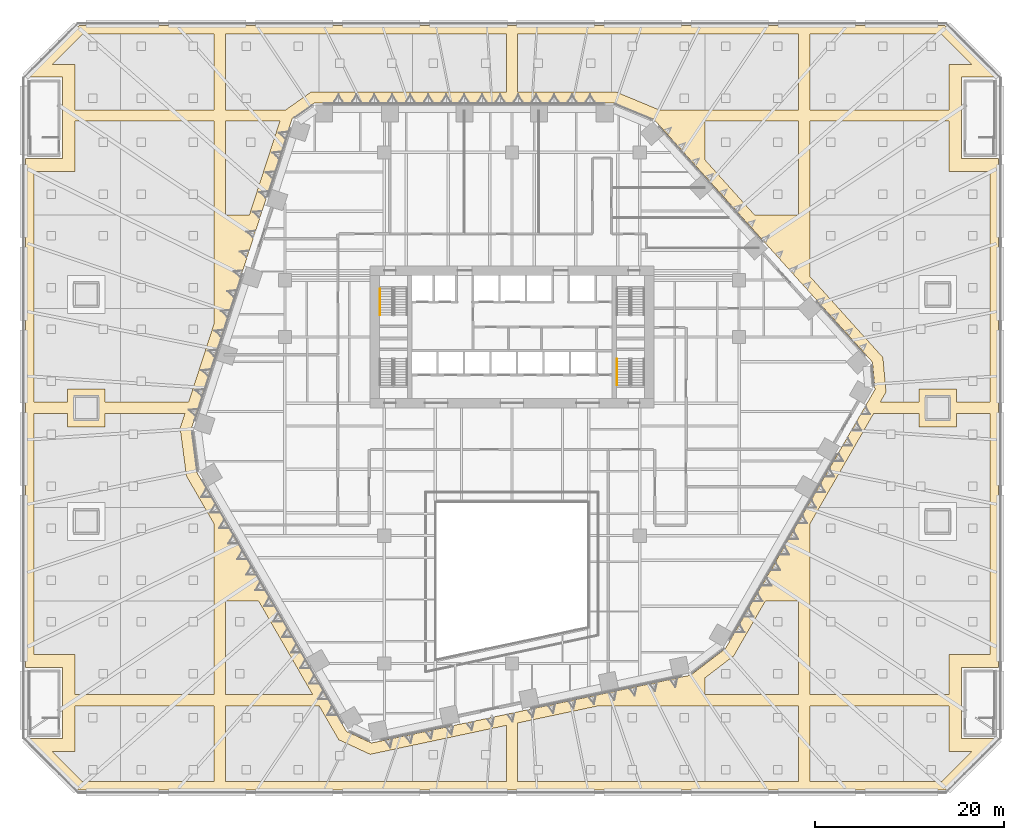
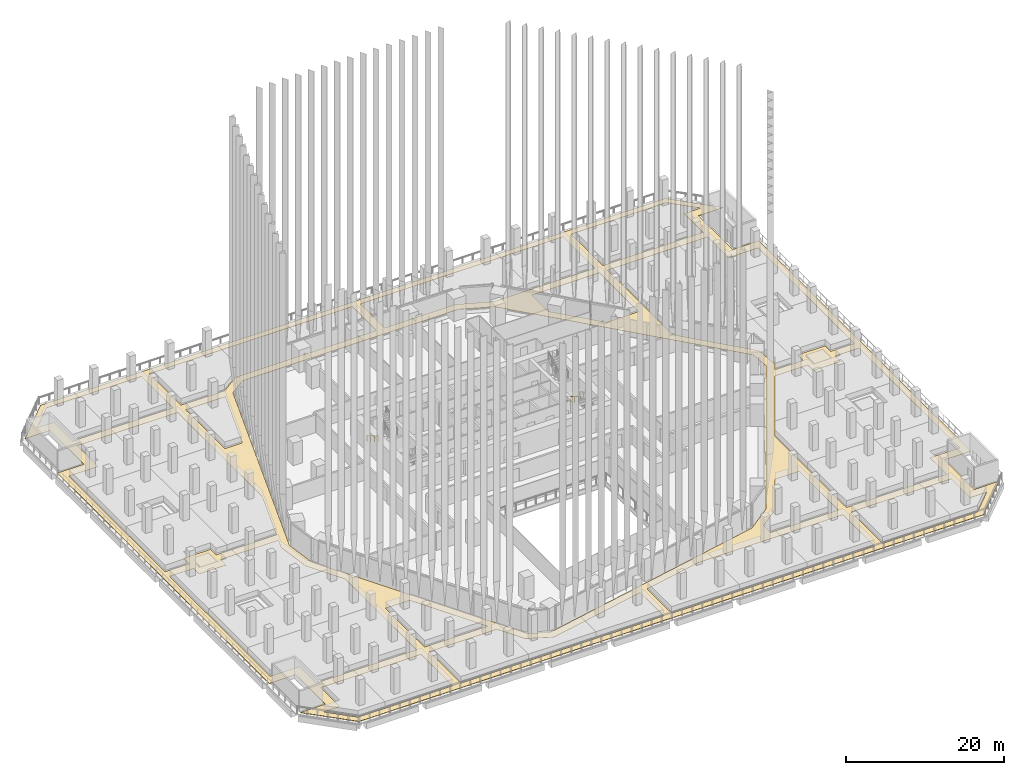
# One storey, part 36 of 51: 2 railings, 1 covering.
"""IFC4 building model written with IfcOpenShell, lengths in metres."""

from ifc_helpers import new_model, si_unit, direction, frame, origin, origin_2d, place, context, subcontext, project, spatial, polyline, circle, outline, extrude, material, layer, layer_set, type_object, element, save


model = new_model("IFC4")

# Units and contexts
model_context = context("Model", 3, precision=1e-05, world=origin(), true_north=direction((0.0, 1.0)))
body_context = subcontext(model_context, "Body", "Model", "MODEL_VIEW")
ifc_project = project(units=[si_unit("LENGTHUNIT", "METRE"), si_unit("AREAUNIT", "SQUARE_METRE"), si_unit("VOLUMEUNIT", "CUBIC_METRE"), si_unit("PLANEANGLEUNIT", "RADIAN"), si_unit("MASSUNIT", "GRAM", prefix="KILO")], contexts=[model_context])

# Site, building, storey
site_placement = place(None, origin())
site = spatial("IfcSite", under=ifc_project, at=site_placement, CompositionType="ELEMENT")
building_placement = place(site_placement, origin())
building = spatial("IfcBuilding", under=site, at=building_placement, Name="Isthmus Gate Tower", CompositionType="ELEMENT")
storey_placement = place(building_placement, frame((0.0, 0.0, 36.0)))
storey = spatial("IfcBuildingStorey", under=building, at=storey_placement, Name="L06", CompositionType="ELEMENT", Elevation=36.0)

# Railings
ifc_material_1 = material(Name="Stainless steel handrail", Category="steel")
railing_type = type_object("IfcRailingType", Name="STAIR HANDRAIL 900", PredefinedType="HANDRAIL", material=ifc_material_1)
for number, where, name in (
    (1, (-13.949951171875, 12.60009765625, 0.166015625), "L06 ST1 stair handrail 1"),
    (2, (11.10009765625, 5.199951171875, 1.990966796875), "L06 ST8 stair handrail 2"),
):
    element("IfcRailing", number, at=place(storey_placement, frame(where)), inside=storey, type_object=railing_type, Name=name, PredefinedType="HANDRAIL", context=body_context, shape_type="SweptSolid", body=[
        extrude(circle(Radius=0.02392578125, at=origin_2d()), frame((0.0, 0.0, 0.8759765625), z_axis=(0.0, -0.860339051648, 0.50972219513), x_axis=(1.0, 0.0, 0.0)), (0.0, 0.0, 1.0), 3.254638671875),
        extrude(circle(Radius=0.02099609375, at=origin_2d()), origin(), (0.0, 0.0, 1.0), 0.851806640625),
        extrude(circle(Radius=0.02099609375, at=origin_2d()), frame((0.0, -0.933349609375, 0.552978515625)), (0.0, 0.0, 1.0), 0.851806640625),
        extrude(circle(Radius=0.02099609375, at=origin_2d()), frame((0.0, -1.86669921875, 1.10595703125)), (0.0, 0.0, 1.0), 0.851806640625),
        extrude(circle(Radius=0.02099609375, at=origin_2d()), frame((0.0, -2.800048828125, 1.658935546875)), (0.0, 0.0, 1.0), 0.851806640625),
    ])

# Covering
ifc_material_2 = material(Name="Granite paving slabs on pedestals", Category="masonry")
ifc_layer = layer(ifc_material_2, 0.0400390625)
ifc_layer_set = layer_set([ifc_layer], Name="TERRACE PAVING 40")
covering_type = type_object("IfcCoveringType", Name="TERRACE PAVING 40", PredefinedType="FLOORING", material=ifc_layer_set)
covering_placement = place(storey_placement, origin())
element("IfcCovering", 3, at=covering_placement, inside=storey, type_object=covering_type, Name="TERRACE PAVING", PredefinedType="FLOORING", context=body_context, shape_type="SweptSolid", body=[
    extrude(outline(polyline([(-51.39990234375, 26.35009765625), (-47.52490234375, 26.35009765625), (-47.52490234375, 34.949951171875), (-51.201416015625, 34.949951171875), (-45.75146484375, 40.39990234375), (45.75146484375, 40.39990234375), (51.201416015625, 34.949951171875), (47.52490234375, 34.949951171875), (47.52490234375, 26.35009765625), (51.39990234375, 26.35009765625), (51.39990234375, -27.428955078125), (47.52490234375, -27.428955078125), (47.52490234375, -34.949951171875), (51.201416015625, -34.949951171875), (45.75146484375, -40.39990234375), (-45.75146484375, -40.39990234375), (-51.201416015625, -34.949951171875), (-47.52490234375, -34.949951171875), (-47.52490234375, -27.428955078125), (-51.39990234375, -27.428955078125), (-51.39990234375, 26.35009765625)]), holes=[polyline([(-23.2412109375, 30.571533203125), (-33.9013671875, -2.2373046875), (-33.30517578125, -6.813720703125), (-17.501708984375, -34.186279296875), (-14.85498046875, -35.4130859375), (18.88818359375, -28.24072265625), (22.553466796875, -25.436279296875), (38.35693359375, 1.936279296875), (38.09619140625, 4.841552734375), (15.01318359375, 30.47802734375), (10.751708984375, 32.25), (-20.85546875, 32.25), (-23.2412109375, 30.571533203125)]), polyline([(-45.378662109375, -39.5), (-41.39990234375, -39.5), (-31.5, -39.5), (-31.5, -31.5), (-41.39990234375, -31.5), (-46.175048828125, -31.5), (-46.175048828125, -36.300048828125), (-48.57861328125, -36.300048828125), (-45.378662109375, -39.5)]), polyline([(-50.5, -20.39990234375), (-50.5, -26.078857421875), (-46.175048828125, -26.078857421875), (-46.175048828125, -30.300048828125), (-41.39990234375, -30.300048828125), (-31.5, -30.300048828125), (-31.5, -20.39990234375), (-31.5, -12.240478515625), (-32.5048828125, -10.5), (-34.416015625, -7.18994140625), (-35.0751953125, -2.128662109375), (-34.57861328125, -0.60009765625), (-41.39990234375, -0.60009765625), (-43.0, -0.60009765625), (-43.0, -2.0), (-47.0, -2.0), (-47.0, -0.60009765625), (-50.5, -0.60009765625), (-50.5, -10.5), (-50.5, -20.39990234375)]), polyline([(-50.5, 0.60009765625), (-47.0, 0.60009765625), (-47.0, 2.0), (-43.0, 2.0), (-43.0, 0.60009765625), (-41.39990234375, 0.60009765625), (-34.188720703125, 0.60009765625), (-31.5, 8.874755859375), (-31.5, 10.5), (-31.5, 20.39990234375), (-31.5, 30.300048828125), (-41.39990234375, 30.300048828125), (-46.175048828125, 30.300048828125), (-46.175048828125, 25.0), (-50.5, 25.0), (-50.5, 20.39990234375), (-50.5, 10.5), (-50.5, 0.60009765625)]), polyline([(-41.39990234375, 31.5), (-31.5, 31.5), (-31.5, 39.5), (-41.39990234375, 39.5), (-45.378662109375, 39.5), (-48.57861328125, 36.300048828125), (-46.175048828125, 36.300048828125), (-46.175048828125, 31.5), (-41.39990234375, 31.5)]), polyline([(-10.5, -39.5), (-0.60009765625, -39.5), (-0.60009765625, -33.558837890625), (-10.5, -35.6630859375), (-14.990966796875, -36.61767578125), (-18.315673828125, -35.076416015625), (-20.38037109375, -31.5), (-20.39990234375, -31.5), (-30.300048828125, -31.5), (-30.300048828125, -39.5), (-20.39990234375, -39.5), (-10.5, -39.5)]), polyline([(41.39990234375, -39.5), (45.378662109375, -39.5), (48.57861328125, -36.300048828125), (46.175048828125, -36.300048828125), (46.175048828125, -31.5), (41.39990234375, -31.5), (31.5, -31.5), (31.5, -39.5), (41.39990234375, -39.5)]), polyline([(0.60009765625, -39.5), (10.5, -39.5), (20.39990234375, -39.5), (30.300048828125, -39.5), (30.300048828125, -31.5), (20.39990234375, -31.5), (10.5, -31.5), (9.0859375, -31.5), (0.60009765625, -33.3037109375), (0.60009765625, -39.5)]), polyline([(-30.300048828125, -20.39990234375), (-30.300048828125, -30.300048828125), (-21.0732421875, -30.300048828125), (-26.7890625, -20.39990234375), (-30.300048828125, -20.39990234375)]), polyline([(26.7890625, -20.39990234375), (23.4345703125, -26.210205078125), (20.39990234375, -28.531982421875), (20.39990234375, -30.300048828125), (30.300048828125, -30.300048828125), (30.300048828125, -20.39990234375), (26.7890625, -20.39990234375)]), polyline([(-30.300048828125, 20.39990234375), (-27.755126953125, 20.39990234375), (-24.53857421875, 30.300048828125), (-30.300048828125, 30.300048828125), (-30.300048828125, 20.39990234375)]), polyline([(31.5, 30.300048828125), (31.5, 20.39990234375), (31.5, 13.88623046875), (34.548828125, 10.5), (39.207275390625, 5.326171875), (39.534912109375, 1.676513671875), (38.913330078125, 0.60009765625), (41.39990234375, 0.60009765625), (43.0, 0.60009765625), (43.0, 2.0), (47.0, 2.0), (47.0, 0.60009765625), (50.5, 0.60009765625), (50.5, 10.5), (50.5, 20.39990234375), (50.5, 25.0), (46.175048828125, 25.0), (46.175048828125, 30.300048828125), (41.39990234375, 30.300048828125), (31.5, 30.300048828125)]), polyline([(20.39990234375, 30.300048828125), (20.39990234375, 26.2138671875), (25.635009765625, 20.39990234375), (30.300048828125, 20.39990234375), (30.300048828125, 30.300048828125), (20.39990234375, 30.300048828125)]), polyline([(30.300048828125, 39.5), (20.39990234375, 39.5), (10.5, 39.5), (0.60009765625, 39.5), (0.60009765625, 33.39990234375), (10.5, 33.39990234375), (10.9814453125, 33.39990234375), (15.550537109375, 31.5), (20.39990234375, 31.5), (30.300048828125, 31.5), (30.300048828125, 39.5)]), polyline([(-20.39990234375, 39.5), (-30.300048828125, 39.5), (-30.300048828125, 31.5), (-23.919921875, 31.5), (-21.219482421875, 33.39990234375), (-20.39990234375, 33.39990234375), (-10.5, 33.39990234375), (-0.60009765625, 33.39990234375), (-0.60009765625, 39.5), (-10.5, 39.5), (-20.39990234375, 39.5)]), polyline([(31.5, -20.39990234375), (31.5, -30.300048828125), (41.39990234375, -30.300048828125), (46.175048828125, -30.300048828125), (46.175048828125, -26.078857421875), (50.5, -26.078857421875), (50.5, -20.39990234375), (50.5, -10.5), (50.5, -0.60009765625), (47.0, -0.60009765625), (47.0, -2.0), (43.0, -2.0), (43.0, -0.60009765625), (41.39990234375, -0.60009765625), (38.220703125, -0.60009765625), (32.5048828125, -10.5), (31.5, -12.240478515625), (31.5, -20.39990234375)]), polyline([(41.39990234375, 31.5), (46.175048828125, 31.5), (46.175048828125, 36.300048828125), (48.57861328125, 36.300048828125), (45.378662109375, 39.5), (41.39990234375, 39.5), (31.5, 39.5), (31.5, 31.5), (41.39990234375, 31.5)])]), origin(), (0.0, 0.0, 1.0), 0.0400390625),
])

save(model, "model.ifc")
